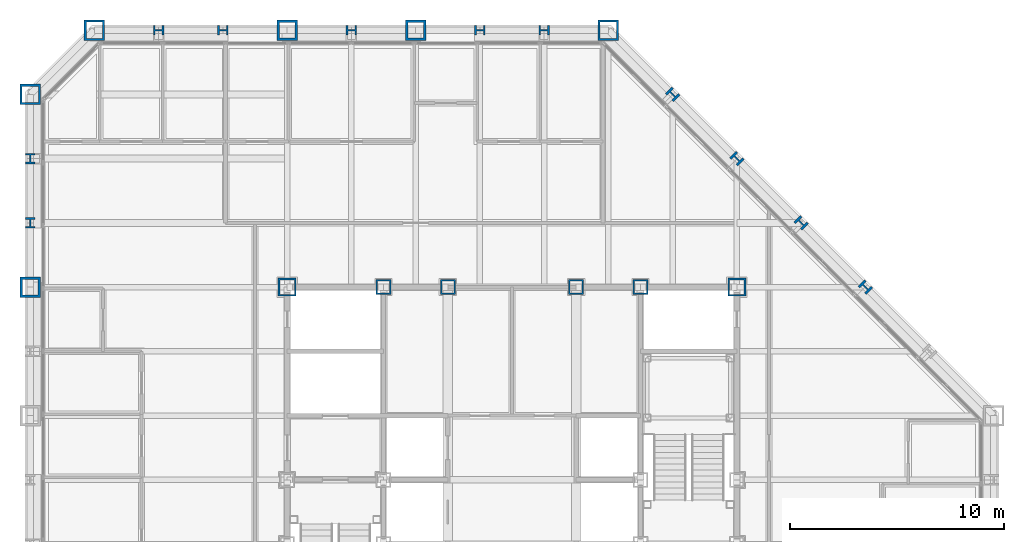
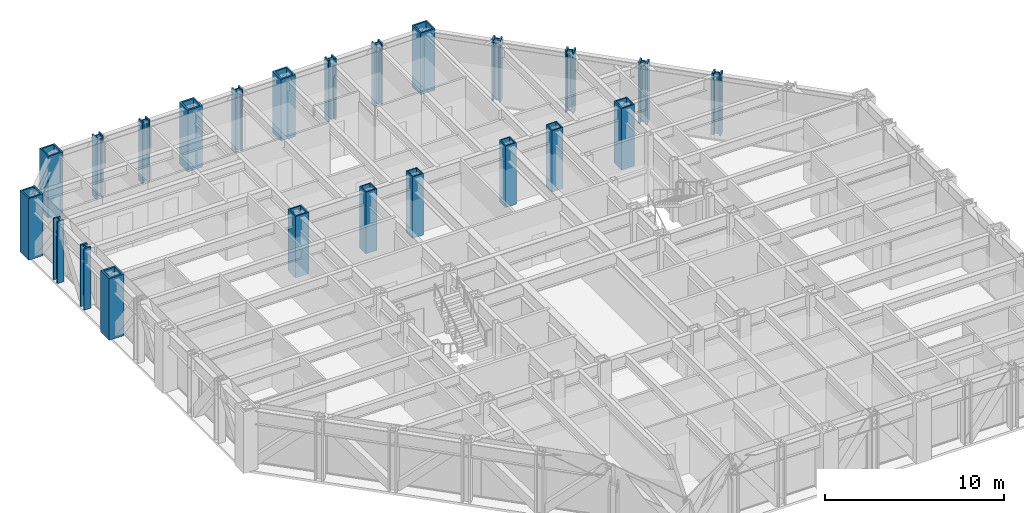
# One storey, part 3 of 16: 23 columns.
"""IFC4 building model written with IfcOpenShell, lengths in metres."""

from ifc_helpers import new_model, si_unit, direction, frame, origin, origin_2d, place, context, subcontext, project, spatial, hollow_rectangle, i_section, extrude, material, material_profile, profile_set, type_object, element, save


model = new_model("IFC4")

# Units and contexts
model_context = context("Model", 3, precision=1e-05, world=origin(), true_north=direction((0.0, 1.0)))
body_context = subcontext(model_context, "Body", "Model", "MODEL_VIEW")
ifc_project = project(units=[si_unit("LENGTHUNIT", "METRE"), si_unit("AREAUNIT", "SQUARE_METRE"), si_unit("VOLUMEUNIT", "CUBIC_METRE"), si_unit("PLANEANGLEUNIT", "RADIAN"), si_unit("MASSUNIT", "GRAM", prefix="KILO")], contexts=[model_context])

# Site, building, storey
site_placement = place(None, origin())
site = spatial("IfcSite", under=ifc_project, at=site_placement, CompositionType="ELEMENT")
building_placement = place(site_placement, origin())
building = spatial("IfcBuilding", under=site, at=building_placement, Name="Chuquiago Exchange Tower", CompositionType="ELEMENT")
storey_placement = place(building_placement, frame((0.0, 0.0, 111.0)))
storey = spatial("IfcBuildingStorey", under=building, at=storey_placement, Name="L23", CompositionType="ELEMENT", Elevation=111.0)

# Columns
ifc_material_1 = material(Name="Steel ASTM A992", Category="steel")
ifc_material_profile_1 = material_profile(ifc_material_1, i_section(OverallWidth=0.431884765625, OverallDepth=0.497802734375, WebThickness=0.0556640625, FlangeThickness=0.0888671875, at=origin_2d()), Name="W14X500")
ifc_profile_set_1 = profile_set([ifc_material_profile_1], Name="Steel ASTM A992")
column_type_1 = type_object("IfcColumnType", Name="C3 W14X500", PredefinedType="COLUMN", material=ifc_profile_set_1)
for number, where, z_axis, x_axis, name in (
    (1, (24.0, 45.0, 0.0), (0.0, 0.0, 1.0), (0.0, 1.0, 0.0), "COL-L23-24_45"),
    (2, (21.0, 45.0, 0.0), (0.0, 0.0, 1.0), (0.0, 1.0, 0.0), "COL-L23-21_45"),
    (3, (15.0, 45.0, 0.0), (0.0, 0.0, 1.0), (0.0, 1.0, 0.0), "COL-L23-15_45"),
    (4, (9.0, 45.0, 0.0), (0.0, 0.0, 1.0), (0.0, 1.0, 0.0), "COL-L23-9_45"),
    (5, (6.0, 45.0, 0.0), (0.0, 0.0, 1.0), (0.0, 1.0, 0.0), "COL-L23-6_45"),
    (6, (0.0, 39.0, 0.0), (0.0, 0.0, 1.0), (-1.0, 0.0, 0.0), "COL-L23-0_39"),
    (7, (0.0, 36.0, 0.0), (0.0, 0.0, 1.0), (-1.0, 0.0, 0.0), "COL-L23-0_36"),
):
    element("IfcColumn", number, at=place(storey_placement, frame(where, z_axis=z_axis, x_axis=x_axis)), inside=storey, type_object=column_type_1, Name=name, PredefinedType="COLUMN", context=body_context, shape_type="SweptSolid", body=[
        extrude(i_section(OverallWidth=0.431884765625, OverallDepth=0.497802734375, WebThickness=0.0556640625, FlangeThickness=0.0888671875, at=origin_2d()), origin(), (0.0, 0.0, 1.0), 4.199951171875),
    ])
ifc_material_2 = material(Name="Steel ASTM A572 Grade 50", Category="steel")
ifc_material_profile_2 = material_profile(ifc_material_2, hollow_rectangle(XDim=0.699951171875, YDim=0.699951171875, WallThickness=0.070068359375, at=origin_2d()), Name="BOX700X700X70")
ifc_profile_set_2 = profile_set([ifc_material_profile_2], Name="Steel ASTM A572 Grade 50")
column_type_2 = type_object("IfcColumnType", Name="CC3 BOX700X700X70", PredefinedType="COLUMN", material=ifc_profile_set_2)
for number, where, z_axis, x_axis, name in (
    (8, (16.5, 33.0, 0.0), (0.0, 0.0, 1.0), (1.0, 0.0, 0.0), "CCOL-L23-16.5_33"),
    (9, (19.5, 33.0, 0.0), (0.0, 0.0, 1.0), (1.0, 0.0, 0.0), "CCOL-L23-19.5_33"),
    (10, (25.5, 33.0, 0.0), (0.0, 0.0, 1.0), (1.0, 0.0, 0.0), "CCOL-L23-25.5_33"),
    (11, (28.5, 33.0, 0.0), (0.0, 0.0, 1.0), (1.0, 0.0, 0.0), "CCOL-L23-28.5_33"),
):
    element("IfcColumn", number, at=place(storey_placement, frame(where, z_axis=z_axis, x_axis=x_axis)), inside=storey, type_object=column_type_2, Name=name, PredefinedType="COLUMN", context=body_context, shape_type="SweptSolid", body=[
        extrude(hollow_rectangle(XDim=0.699951171875, YDim=0.699951171875, WallThickness=0.070068359375, at=origin_2d()), origin(), (0.0, 0.0, 1.0), 4.199951171875),
    ])
ifc_material_3 = material(Name="Steel ASTM A572 Grade 50", Category="steel")
ifc_material_profile_3 = material_profile(ifc_material_3, hollow_rectangle(XDim=0.85009765625, YDim=0.85009765625, WallThickness=0.0849609375, at=origin_2d()), Name="BOX850X850X85")
ifc_profile_set_3 = profile_set([ifc_material_profile_3], Name="Steel ASTM A572 Grade 50")
column_type_3 = type_object("IfcColumnType", Name="CC6 BOX850X850X85", PredefinedType="COLUMN", material=ifc_profile_set_3)
for number, where, z_axis, x_axis, name in (
    (12, (12.0, 33.0, 0.0), (0.0, 0.0, 1.0), (1.0, 0.0, 0.0), "CCOL-L23-12_33"),
    (13, (33.0, 33.0, 0.0), (0.0, 0.0, 1.0), (1.0, 0.0, 0.0), "CCOL-L23-33_33"),
):
    element("IfcColumn", number, at=place(storey_placement, frame(where, z_axis=z_axis, x_axis=x_axis)), inside=storey, type_object=column_type_3, Name=name, PredefinedType="COLUMN", context=body_context, shape_type="SweptSolid", body=[
        extrude(hollow_rectangle(XDim=0.85009765625, YDim=0.85009765625, WallThickness=0.0849609375, at=origin_2d()), origin(), (0.0, 0.0, 1.0), 4.199951171875),
    ])
ifc_material_4 = material(Name="Steel ASTM A992", Category="steel")
ifc_material_profile_4 = material_profile(ifc_material_4, i_section(OverallWidth=0.44189453125, OverallDepth=0.53076171875, WebThickness=0.06591796875, FlangeThickness=0.105712890625, at=origin_2d()), Name="W14X605")
ifc_profile_set_4 = profile_set([ifc_material_profile_4], Name="Steel ASTM A992")
column_type_4 = type_object("IfcColumnType", Name="CK3 W14X605", PredefinedType="COLUMN", material=ifc_profile_set_4)
for number, where, z_axis, x_axis, name in (
    (14, (39.0, 33.0, 0.0), (0.0, 0.0, 1.0), (0.707106781187, 0.707106781187, 0.0), "COL-L23-39_33"),
    (15, (36.0, 36.0, 0.0), (0.0, 0.0, 1.0), (0.707106781187, 0.707106781187, 0.0), "COL-L23-36_36"),
    (16, (33.0, 39.0, 0.0), (0.0, 0.0, 1.0), (0.707106781187, 0.707106781187, 0.0), "COL-L23-33_39"),
    (17, (30.0, 42.0, 0.0), (0.0, 0.0, 1.0), (0.707106781187, 0.707106781187, 0.0), "COL-L23-30_42"),
):
    element("IfcColumn", number, at=place(storey_placement, frame(where, z_axis=z_axis, x_axis=x_axis)), inside=storey, type_object=column_type_4, Name=name, PredefinedType="COLUMN", context=body_context, shape_type="SweptSolid", body=[
        extrude(i_section(OverallWidth=0.44189453125, OverallDepth=0.53076171875, WebThickness=0.06591796875, FlangeThickness=0.105712890625, at=origin_2d()), origin(), (0.0, 0.0, 1.0), 4.199951171875),
    ])
ifc_material_5 = material(Name="Steel ASTM A572 Grade 50", Category="steel")
ifc_material_profile_5 = material_profile(ifc_material_5, hollow_rectangle(XDim=0.949951171875, YDim=0.949951171875, WallThickness=0.094970703125, at=origin_2d()), Name="BOX950X950X95")
ifc_profile_set_5 = profile_set([ifc_material_profile_5], Name="Steel ASTM A572 Grade 50")
column_type_5 = type_object("IfcColumnType", Name="CN1 BOX950X950X95", PredefinedType="COLUMN", material=ifc_profile_set_5)
for number, where, z_axis, x_axis, name in (
    (18, (27.0, 45.0, 0.0), (0.0, 0.0, 1.0), (0.0, 1.0, 0.0), "COL-L23-27_45"),
    (19, (3.0, 45.0, 0.0), (0.0, 0.0, 1.0), (0.0, 1.0, 0.0), "COL-L23-3_45"),
    (20, (0.0, 42.0, 0.0), (0.0, 0.0, 1.0), (-1.0, 0.0, 0.0), "COL-L23-0_42"),
):
    element("IfcColumn", number, at=place(storey_placement, frame(where, z_axis=z_axis, x_axis=x_axis)), inside=storey, type_object=column_type_5, Name=name, PredefinedType="COLUMN", context=body_context, shape_type="SweptSolid", body=[
        extrude(hollow_rectangle(XDim=0.949951171875, YDim=0.949951171875, WallThickness=0.094970703125, at=origin_2d()), origin(), (0.0, 0.0, 1.0), 4.199951171875),
    ])
ifc_material_6 = material(Name="Steel ASTM A572 Grade 42", Category="steel")
ifc_material_profile_6 = material_profile(ifc_material_6, hollow_rectangle(XDim=0.949951171875, YDim=0.949951171875, WallThickness=0.110107421875, at=origin_2d()), Name="BOX950X950X110")
ifc_profile_set_6 = profile_set([ifc_material_profile_6], Name="Steel ASTM A572 Grade 42")
column_type_6 = type_object("IfcColumnType", Name="CT1 BOX950X950X110", PredefinedType="COLUMN", material=ifc_profile_set_6)
for number, where, z_axis, x_axis, name in (
    (21, (18.0, 45.0, 0.0), (0.0, 0.0, 1.0), (0.0, 1.0, 0.0), "COL-L23-18_45"),
    (22, (12.0, 45.0, 0.0), (0.0, 0.0, 1.0), (0.0, 1.0, 0.0), "COL-L23-12_45"),
    (23, (0.0, 33.0, 0.0), (0.0, 0.0, 1.0), (-1.0, 0.0, 0.0), "COL-L23-0_33"),
):
    element("IfcColumn", number, at=place(storey_placement, frame(where, z_axis=z_axis, x_axis=x_axis)), inside=storey, type_object=column_type_6, Name=name, PredefinedType="COLUMN", context=body_context, shape_type="SweptSolid", body=[
        extrude(hollow_rectangle(XDim=0.949951171875, YDim=0.949951171875, WallThickness=0.110107421875, at=origin_2d()), origin(), (0.0, 0.0, 1.0), 4.199951171875),
    ])

save(model, "model.ifc")
